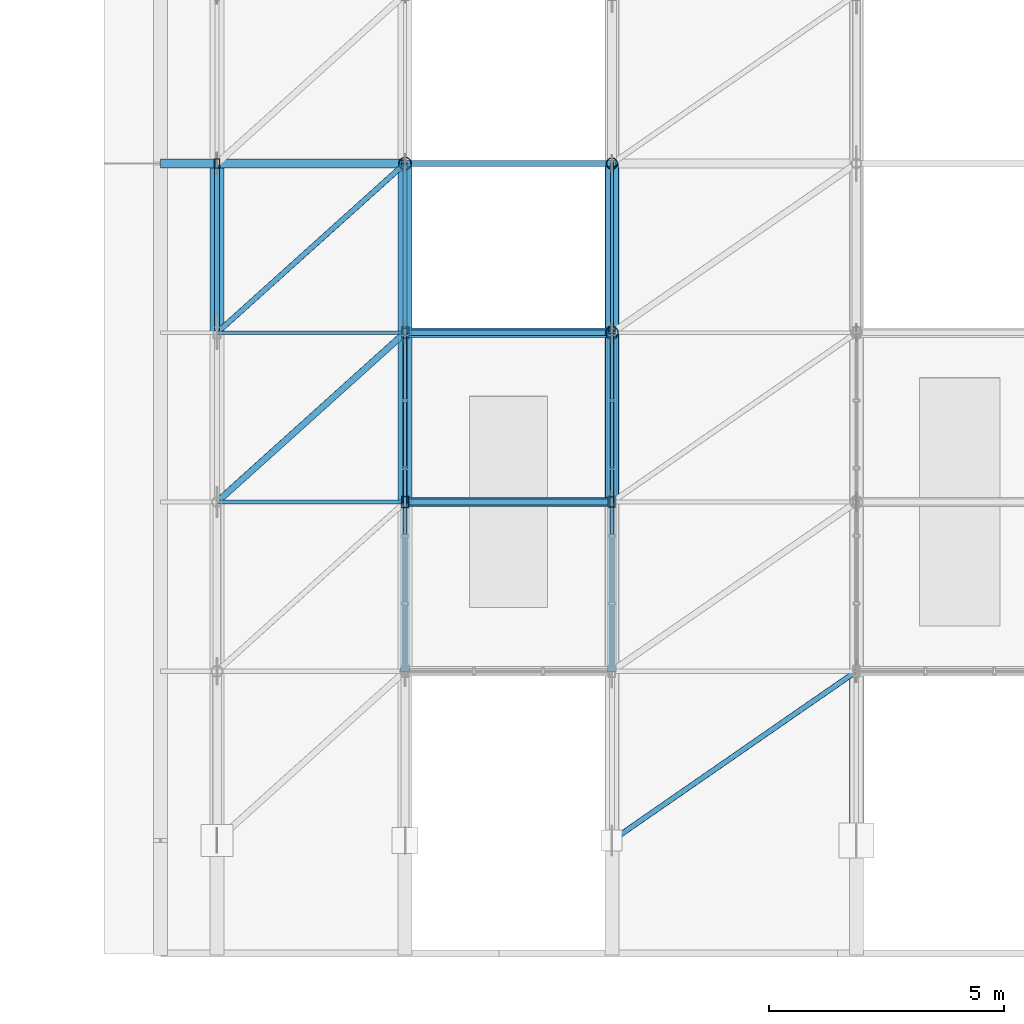
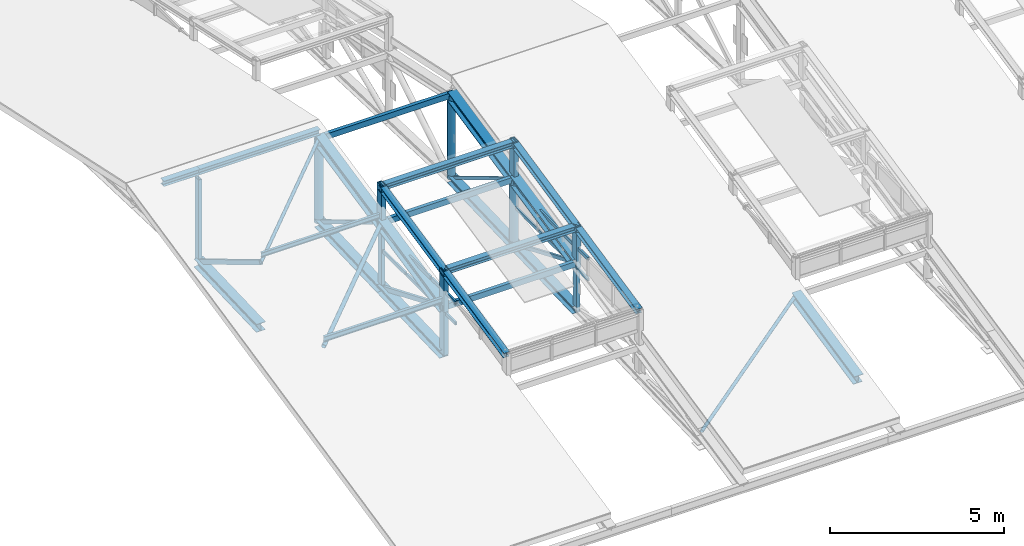
# One storey, part 34 of 124: 52 members, 2 elements without a shape of their own.
"""IFC4 building model written with IfcOpenShell, lengths in metres."""

from ifc_helpers import new_model, si_unit, direction, frame, origin, origin_2d, place, context, subcontext, project, spatial, hollow_rectangle, hollow_circle, i_section, extrude, material, layer, layer_set, material_profile, profile_set, type_object, element, aggregate, save


model = new_model("IFC4")

# Units and contexts
model_context = context("Model", 3, precision=1e-05, world=origin(), true_north=direction((0.0, 1.0)))
body_context = subcontext(model_context, "Body", "Model", "MODEL_VIEW")
ifc_project = project(units=[si_unit("LENGTHUNIT", "METRE"), si_unit("AREAUNIT", "SQUARE_METRE"), si_unit("VOLUMEUNIT", "CUBIC_METRE"), si_unit("PLANEANGLEUNIT", "RADIAN"), si_unit("MASSUNIT", "GRAM", prefix="KILO"), si_unit("THERMODYNAMICTEMPERATUREUNIT", "KELVIN"), si_unit("POWERUNIT", "WATT")], contexts=[model_context])

# Site, building, storey
site_placement = place(None, origin())
site = spatial("IfcSite", under=ifc_project, at=site_placement, CompositionType="ELEMENT")
building_placement = place(site_placement, origin())
building = spatial("IfcBuilding", under=site, at=building_placement, Name="Tavuni Mirador Residences", CompositionType="ELEMENT")
storey_placement = place(building_placement, frame((0.0, 0.0, 7.64990234375)))
storey = spatial("IfcBuildingStorey", under=building, at=storey_placement, Name="L02", CompositionType="ELEMENT", Elevation=7.64990234375)

# Curtain wall, members
ifc_material_1 = material(Name="Anodised aluminium", Category="aluminium")
ifc_layer = layer(ifc_material_1, 0.199951171875, Name="Anodised aluminium", Category="aluminium")
ifc_layer_set = layer_set([ifc_layer], Name="Anodised aluminium")
curtain_wall_type = type_object("IfcCurtainWallType", Name="CWT-HAL-01", PredefinedType="NOTDEFINED", material=ifc_layer_set)
curtain_wall_1_placement = place(storey_placement, origin())
curtain_wall_1 = element("IfcCurtainWall", 1, at=curtain_wall_1_placement, inside=storey, type_object=curtain_wall_type, Name="CW-HALL-MON-S1-W", PredefinedType="NOTDEFINED")
ifc_material_profile_1 = material_profile(ifc_material_1, hollow_rectangle(XDim=0.06005859375, YDim=0.110107421875, WallThickness=0.00390625, at=origin_2d()), Name="ALU 60x110x4.0", Category="aluminium")
ifc_profile_set_1 = profile_set([ifc_material_profile_1], Name="Anodised aluminium")
member_type_1 = type_object("IfcMemberType", Name="CWT-110", PredefinedType="USERDEFINED", material=ifc_profile_set_1)
member_1_placement = place(storey_placement, frame((44.800048828125, 78.510009765625, 1.205078125), z_axis=(0.0, 1.0, 0.0), x_axis=(-1.0, 0.0, 0.0)))
member_1 = element("IfcMember", 2, at=member_1_placement, type_object=member_type_1, Name="CW-06 transom 3.1", ObjectType="TRANSOM", PredefinedType="USERDEFINED", context=body_context, shape_type="SweptSolid", body=[
    extrude(hollow_rectangle(XDim=0.06005859375, YDim=0.110107421875, WallThickness=0.00390625, at=origin_2d()), origin(), (0.0, 0.0, 1.0), 1.3798828125),
])
member_2_placement = place(storey_placement, frame((44.800048828125, 78.510009765625, 1.93505859375), z_axis=(0.0, 1.0, 0.0), x_axis=(-1.0, 0.0, 0.0)))
member_2 = element("IfcMember", 3, at=member_2_placement, type_object=member_type_1, Name="CW-06 transom 3.2", ObjectType="TRANSOM", PredefinedType="USERDEFINED", context=body_context, shape_type="SweptSolid", body=[
    extrude(hollow_rectangle(XDim=0.06005859375, YDim=0.110107421875, WallThickness=0.00390625, at=origin_2d()), origin(), (0.0, 0.0, 1.0), 1.3798828125),
])
member_3_placement = place(storey_placement, frame((44.800048828125, 79.949951171875, 1.205078125), z_axis=(0.0, 1.0, 0.0), x_axis=(-1.0, 0.0, 0.0)))
member_3 = element("IfcMember", 4, at=member_3_placement, type_object=member_type_1, Name="CW-06 transom 4.1", ObjectType="TRANSOM", PredefinedType="USERDEFINED", context=body_context, shape_type="SweptSolid", body=[
    extrude(hollow_rectangle(XDim=0.06005859375, YDim=0.110107421875, WallThickness=0.00390625, at=origin_2d()), origin(), (0.0, 0.0, 1.0), 1.380126953125),
])
member_4_placement = place(storey_placement, frame((44.800048828125, 79.949951171875, 1.93505859375), z_axis=(0.0, 1.0, 0.0), x_axis=(-1.0, 0.0, 0.0)))
member_4 = element("IfcMember", 5, at=member_4_placement, type_object=member_type_1, Name="CW-06 transom 4.2", ObjectType="TRANSOM", PredefinedType="USERDEFINED", context=body_context, shape_type="SweptSolid", body=[
    extrude(hollow_rectangle(XDim=0.06005859375, YDim=0.110107421875, WallThickness=0.00390625, at=origin_2d()), origin(), (0.0, 0.0, 1.0), 1.380126953125),
])
member_5_placement = place(storey_placement, frame((44.800048828125, 81.389892578125, 1.205078125), z_axis=(0.0, 1.0, 0.0), x_axis=(-1.0, 0.0, 0.0)))
member_5 = element("IfcMember", 6, at=member_5_placement, type_object=member_type_1, Name="CW-06 transom 5.1", ObjectType="TRANSOM", PredefinedType="USERDEFINED", context=body_context, shape_type="SweptSolid", body=[
    extrude(hollow_rectangle(XDim=0.06005859375, YDim=0.110107421875, WallThickness=0.00390625, at=origin_2d()), origin(), (0.0, 0.0, 1.0), 1.35009765625),
])
member_6_placement = place(storey_placement, frame((44.800048828125, 81.389892578125, 1.93505859375), z_axis=(0.0, 1.0, 0.0), x_axis=(-1.0, 0.0, 0.0)))
member_6 = element("IfcMember", 7, at=member_6_placement, type_object=member_type_1, Name="CW-06 transom 5.2", ObjectType="TRANSOM", PredefinedType="USERDEFINED", context=body_context, shape_type="SweptSolid", body=[
    extrude(hollow_rectangle(XDim=0.06005859375, YDim=0.110107421875, WallThickness=0.00390625, at=origin_2d()), origin(), (0.0, 0.0, 1.0), 1.35009765625),
])
aggregate(curtain_wall_1, [member_1, member_2, member_3, member_4, member_5, member_6])

curtain_wall_2_placement = place(storey_placement, origin())
curtain_wall_2 = element("IfcCurtainWall", 8, at=curtain_wall_2_placement, inside=storey, type_object=curtain_wall_type, Name="CW-HALL-MON-S1-E", PredefinedType="NOTDEFINED")
member_7_placement = place(storey_placement, frame((49.199951171875, 78.510009765625, 1.205078125), z_axis=(0.0, 1.0, 0.0), x_axis=(-1.0, 0.0, 0.0)))
member_7 = element("IfcMember", 9, at=member_7_placement, type_object=member_type_1, Name="CW-06 transom 3.1", ObjectType="TRANSOM", PredefinedType="USERDEFINED", context=body_context, shape_type="SweptSolid", body=[
    extrude(hollow_rectangle(XDim=0.06005859375, YDim=0.110107421875, WallThickness=0.00390625, at=origin_2d()), origin(), (0.0, 0.0, 1.0), 1.3798828125),
])
member_8_placement = place(storey_placement, frame((49.199951171875, 78.510009765625, 1.93505859375), z_axis=(0.0, 1.0, 0.0), x_axis=(-1.0, 0.0, 0.0)))
member_8 = element("IfcMember", 10, at=member_8_placement, type_object=member_type_1, Name="CW-06 transom 3.2", ObjectType="TRANSOM", PredefinedType="USERDEFINED", context=body_context, shape_type="SweptSolid", body=[
    extrude(hollow_rectangle(XDim=0.06005859375, YDim=0.110107421875, WallThickness=0.00390625, at=origin_2d()), origin(), (0.0, 0.0, 1.0), 1.3798828125),
])
member_9_placement = place(storey_placement, frame((49.199951171875, 79.949951171875, 1.205078125), z_axis=(0.0, 1.0, 0.0), x_axis=(-1.0, 0.0, 0.0)))
member_9 = element("IfcMember", 11, at=member_9_placement, type_object=member_type_1, Name="CW-06 transom 4.1", ObjectType="TRANSOM", PredefinedType="USERDEFINED", context=body_context, shape_type="SweptSolid", body=[
    extrude(hollow_rectangle(XDim=0.06005859375, YDim=0.110107421875, WallThickness=0.00390625, at=origin_2d()), origin(), (0.0, 0.0, 1.0), 1.380126953125),
])
member_10_placement = place(storey_placement, frame((49.199951171875, 79.949951171875, 1.93505859375), z_axis=(0.0, 1.0, 0.0), x_axis=(-1.0, 0.0, 0.0)))
member_10 = element("IfcMember", 12, at=member_10_placement, type_object=member_type_1, Name="CW-06 transom 4.2", ObjectType="TRANSOM", PredefinedType="USERDEFINED", context=body_context, shape_type="SweptSolid", body=[
    extrude(hollow_rectangle(XDim=0.06005859375, YDim=0.110107421875, WallThickness=0.00390625, at=origin_2d()), origin(), (0.0, 0.0, 1.0), 1.380126953125),
])
member_11_placement = place(storey_placement, frame((49.199951171875, 81.389892578125, 1.205078125), z_axis=(0.0, 1.0, 0.0), x_axis=(-1.0, 0.0, 0.0)))
member_11 = element("IfcMember", 13, at=member_11_placement, type_object=member_type_1, Name="CW-06 transom 5.1", ObjectType="TRANSOM", PredefinedType="USERDEFINED", context=body_context, shape_type="SweptSolid", body=[
    extrude(hollow_rectangle(XDim=0.06005859375, YDim=0.110107421875, WallThickness=0.00390625, at=origin_2d()), origin(), (0.0, 0.0, 1.0), 1.35009765625),
])
member_12_placement = place(storey_placement, frame((49.199951171875, 81.389892578125, 1.93505859375), z_axis=(0.0, 1.0, 0.0), x_axis=(-1.0, 0.0, 0.0)))
member_12 = element("IfcMember", 14, at=member_12_placement, type_object=member_type_1, Name="CW-06 transom 5.2", ObjectType="TRANSOM", PredefinedType="USERDEFINED", context=body_context, shape_type="SweptSolid", body=[
    extrude(hollow_rectangle(XDim=0.06005859375, YDim=0.110107421875, WallThickness=0.00390625, at=origin_2d()), origin(), (0.0, 0.0, 1.0), 1.35009765625),
])
aggregate(curtain_wall_2, [member_7, member_8, member_9, member_10, member_11, member_12])

# Members
ifc_material_2 = material(Name="Structural steel S355", Category="steel")
ifc_material_profile_2 = material_profile(ifc_material_2, hollow_circle(Radius=0.05712890625, WallThickness=0.00634765625, at=origin_2d()), Name="CHS 114.3x6.3", Category="steel")
ifc_profile_set_2 = profile_set([ifc_material_profile_2], Name="Structural steel S355")
member_type_2 = type_object("IfcMemberType", Name="MT-BR-CHS114", PredefinedType="BRACE", material=ifc_profile_set_2)
member_13_placement = place(storey_placement, frame((40.800048828125, 82.800048828125, 2.155029296875), z_axis=(0.735714413945, 0.662116029884, 0.142571610368), x_axis=(-0.668949692402, 0.74330768127, 0.0)))
element("IfcMember", 15, at=member_13_placement, inside=storey, type_object=member_type_2, Name="HALL-RB-1-04", PredefinedType="BRACE", context=body_context, shape_type="SweptSolid", body=[
    extrude(hollow_circle(Radius=0.05712890625, WallThickness=0.00634765625, at=origin_2d()), origin(), (0.0, 0.0, 1.0), 5.43701171875),
])
member_14_placement = place(storey_placement, frame((49.199951171875, 72.0, -0.169921875), z_axis=(0.81607988035, 0.564999010077, 0.12161310579), x_axis=(-0.569224029849, 0.822182463838, 0.0)))
element("IfcMember", 16, at=member_14_placement, inside=storey, type_object=member_type_2, Name="HALL-RB-2-01", PredefinedType="BRACE", context=body_context, shape_type="SweptSolid", body=[
    extrude(hollow_circle(Radius=0.05712890625, WallThickness=0.00634765625, at=origin_2d()), origin(), (0.0, 0.0, 1.0), 6.371826171875),
])
ifc_material_profile_3 = material_profile(ifc_material_2, hollow_circle(Radius=0.06982421875, WallThickness=0.008056640625, at=origin_2d()), Name="CHS 139.7x8.0", Category="steel")
ifc_profile_set_3 = profile_set([ifc_material_profile_3], Name="Structural steel S355")
member_type_3 = type_object("IfcMemberType", Name="MT-BR-CHS139", PredefinedType="BRACE", material=ifc_profile_set_3)
member_15_placement = place(storey_placement, frame((40.800048828125, 79.199951171875, 1.380126953125), z_axis=(0.735697248953, 0.662145485417, 0.142523380626), x_axis=(-0.668974757313, 0.743285123004, 0.0)))
element("IfcMember", 17, at=member_15_placement, inside=storey, type_object=member_type_3, Name="HALL-RB-1-03", PredefinedType="BRACE", context=body_context, shape_type="SweptSolid", body=[
    extrude(hollow_circle(Radius=0.06982421875, WallThickness=0.008056640625, at=origin_2d()), origin(), (0.0, 0.0, 1.0), 5.43701171875),
])
ifc_material_profile_4 = material_profile(ifc_material_2, hollow_rectangle(XDim=0.06005859375, YDim=0.10009765625, WallThickness=0.0048828125, at=origin_2d()), Name="RHS 100x60x5.0", Category="steel")
ifc_profile_set_4 = profile_set([ifc_material_profile_4], Name="Structural steel S355")
member_type_4 = type_object("IfcMemberType", Name="MT-BR-RHS100", PredefinedType="BRACE", material=ifc_profile_set_4)
member_16_placement = place(storey_placement, frame((49.199951171875, 82.800048828125, 2.155029296875), z_axis=(0.0, 0.858005936545, -0.513639769541), x_axis=(-1.0, 0.0, 0.0)))
element("IfcMember", 18, at=member_16_placement, inside=storey, type_object=member_type_4, Name="Roof truss TR-3 web diagonal 4", PredefinedType="BRACE", context=body_context, shape_type="SweptSolid", body=[
    extrude(hollow_rectangle(XDim=0.06005859375, YDim=0.10009765625, WallThickness=0.0048828125, at=origin_2d()), origin(), (0.0, 0.0, 1.0), 4.195556640625),
])
ifc_material_profile_5 = material_profile(ifc_material_2, hollow_rectangle(XDim=0.080078125, YDim=0.1201171875, WallThickness=0.00634765625, at=origin_2d()), Name="RHS 120x80x6.3", Category="steel")
ifc_profile_set_5 = profile_set([ifc_material_profile_5], Name="Structural steel S355")
member_type_5 = type_object("IfcMemberType", Name="MT-BR-RHS120", PredefinedType="BRACE", material=ifc_profile_set_5)
member_17_placement = place(storey_placement, frame((44.800048828125, 82.800048828125, 2.155029296875), z_axis=(0.0, 0.858005936545, -0.513639769541), x_axis=(-1.0, 0.0, 0.0)))
element("IfcMember", 19, at=member_17_placement, inside=storey, type_object=member_type_5, Name="Roof truss TR-2 web diagonal 4", PredefinedType="BRACE", context=body_context, shape_type="SweptSolid", body=[
    extrude(hollow_rectangle(XDim=0.080078125, YDim=0.1201171875, WallThickness=0.00634765625, at=origin_2d()), origin(), (0.0, 0.0, 1.0), 4.195556640625),
])
member_18_placement = place(storey_placement, frame((49.199951171875, 79.199951171875, 1.380126953125), z_axis=(0.0, 0.922613480979, -0.385725763613), x_axis=(-1.0, 0.0, 0.0)))
element("IfcMember", 20, at=member_18_placement, inside=storey, type_object=member_type_5, Name="Roof truss TR-3 web diagonal 3", PredefinedType="BRACE", context=body_context, shape_type="SweptSolid", body=[
    extrude(hollow_rectangle(XDim=0.080078125, YDim=0.1201171875, WallThickness=0.00634765625, at=origin_2d()), origin(), (0.0, 0.0, 1.0), 3.902099609375),
])
ifc_material_profile_6 = material_profile(ifc_material_2, hollow_rectangle(XDim=0.10009765625, YDim=0.14990234375, WallThickness=0.008056640625, at=origin_2d()), Name="RHS 150x100x8.0", Category="steel")
ifc_profile_set_6 = profile_set([ifc_material_profile_6], Name="Structural steel S355")
member_type_6 = type_object("IfcMemberType", Name="MT-BR-RHS150", PredefinedType="BRACE", material=ifc_profile_set_6)
member_19_placement = place(storey_placement, frame((40.800048828125, 82.800048828125, 2.155029296875), z_axis=(0.0, 0.858005936545, -0.513639769541), x_axis=(-1.0, 0.0, 0.0)))
element("IfcMember", 21, at=member_19_placement, inside=storey, type_object=member_type_6, Name="Roof truss TR-1 web diagonal 4", PredefinedType="BRACE", context=body_context, shape_type="SweptSolid", body=[
    extrude(hollow_rectangle(XDim=0.10009765625, YDim=0.14990234375, WallThickness=0.008056640625, at=origin_2d()), origin(), (0.0, 0.0, 1.0), 4.195556640625),
])
member_20_placement = place(storey_placement, frame((44.800048828125, 79.199951171875, 1.380126953125), z_axis=(0.0, 0.922613480979, -0.385725763613), x_axis=(-1.0, 0.0, 0.0)))
element("IfcMember", 22, at=member_20_placement, inside=storey, type_object=member_type_6, Name="Roof truss TR-2 web diagonal 3", PredefinedType="BRACE", context=body_context, shape_type="SweptSolid", body=[
    extrude(hollow_rectangle(XDim=0.10009765625, YDim=0.14990234375, WallThickness=0.008056640625, at=origin_2d()), origin(), (0.0, 0.0, 1.0), 3.902099609375),
])
ifc_material_profile_7 = material_profile(ifc_material_2, i_section(OverallWidth=0.280029296875, OverallDepth=0.27001953125, WebThickness=0.008056640625, FlangeThickness=0.012939453125, FilletRadius=0.02392578125, at=origin_2d()), Name="HEA 280", Category="steel")
ifc_profile_set_7 = profile_set([ifc_material_profile_7], Name="Structural steel S355")
member_type_7 = type_object("IfcMemberType", Name="MT-CH-HEA280", PredefinedType="CHORD", material=ifc_profile_set_7)
member_21_placement = place(storey_placement, frame((49.199951171875, 79.199951171875, -0.25), z_axis=(0.0, 0.999397760821, 0.034700369832), x_axis=(-1.0, 0.0, 0.0)))
element("IfcMember", 23, at=member_21_placement, inside=storey, type_object=member_type_7, Name="Roof truss TR-3 bottom chord 3", PredefinedType="CHORD", context=body_context, shape_type="SweptSolid", body=[
    extrude(i_section(OverallWidth=0.280029296875, OverallDepth=0.27001953125, WebThickness=0.008056640625, FlangeThickness=0.012939453125, FilletRadius=0.02392578125, at=origin_2d()), origin(), (0.0, 0.0, 1.0), 3.602294921875),
])
member_22_placement = place(storey_placement, frame((49.199951171875, 82.800048828125, -0.125), z_axis=(0.0, 0.999397679205, 0.034702720363), x_axis=(-1.0, 0.0, 0.0)))
element("IfcMember", 24, at=member_22_placement, inside=storey, type_object=member_type_7, Name="Roof truss TR-3 bottom chord 4", PredefinedType="CHORD", context=body_context, shape_type="SweptSolid", body=[
    extrude(i_section(OverallWidth=0.280029296875, OverallDepth=0.27001953125, WebThickness=0.008056640625, FlangeThickness=0.012939453125, FilletRadius=0.02392578125, at=origin_2d()), origin(), (0.0, 0.0, 1.0), 3.60205078125),
])
ifc_material_profile_8 = material_profile(ifc_material_2, i_section(OverallWidth=0.300048828125, OverallDepth=0.2900390625, WebThickness=0.008544921875, FlangeThickness=0.013916015625, FilletRadius=0.027099609375, at=origin_2d()), Name="HEA 300", Category="steel")
ifc_profile_set_8 = profile_set([ifc_material_profile_8], Name="Structural steel S355")
member_type_8 = type_object("IfcMemberType", Name="MT-CH-HEA300", PredefinedType="CHORD", material=ifc_profile_set_8)
member_23_placement = place(storey_placement, frame((40.800048828125, 82.800048828125, -0.125), z_axis=(0.0, 0.999397679205, 0.034702720363), x_axis=(-1.0, 0.0, 0.0)))
element("IfcMember", 25, at=member_23_placement, inside=storey, type_object=member_type_8, Name="Roof truss TR-1 bottom chord 4", PredefinedType="CHORD", context=body_context, shape_type="SweptSolid", body=[
    extrude(i_section(OverallWidth=0.300048828125, OverallDepth=0.2900390625, WebThickness=0.008544921875, FlangeThickness=0.013916015625, FilletRadius=0.027099609375, at=origin_2d()), origin(), (0.0, 0.0, 1.0), 3.60205078125),
])
member_24_placement = place(storey_placement, frame((44.800048828125, 79.199951171875, -0.25), z_axis=(0.0, 0.999397760821, 0.034700369832), x_axis=(-1.0, 0.0, 0.0)))
element("IfcMember", 26, at=member_24_placement, inside=storey, type_object=member_type_8, Name="Roof truss TR-2 bottom chord 3", PredefinedType="CHORD", context=body_context, shape_type="SweptSolid", body=[
    extrude(i_section(OverallWidth=0.300048828125, OverallDepth=0.2900390625, WebThickness=0.008544921875, FlangeThickness=0.013916015625, FilletRadius=0.027099609375, at=origin_2d()), origin(), (0.0, 0.0, 1.0), 3.602294921875),
])
member_25_placement = place(storey_placement, frame((44.800048828125, 82.800048828125, -0.125), z_axis=(0.0, 0.999397679205, 0.034702720363), x_axis=(-1.0, 0.0, 0.0)))
element("IfcMember", 27, at=member_25_placement, inside=storey, type_object=member_type_8, Name="Roof truss TR-2 bottom chord 4", PredefinedType="CHORD", context=body_context, shape_type="SweptSolid", body=[
    extrude(i_section(OverallWidth=0.300048828125, OverallDepth=0.2900390625, WebThickness=0.008544921875, FlangeThickness=0.013916015625, FilletRadius=0.027099609375, at=origin_2d()), origin(), (0.0, 0.0, 1.0), 3.60205078125),
])
ifc_material_profile_9 = material_profile(ifc_material_2, i_section(OverallWidth=0.300048828125, OverallDepth=0.320068359375, WebThickness=0.011474609375, FlangeThickness=0.0205078125, FilletRadius=0.027099609375, at=origin_2d()), Name="HEB 320", Category="steel")
ifc_profile_set_9 = profile_set([ifc_material_profile_9], Name="Structural steel S355")
member_type_9 = type_object("IfcMemberType", Name="MT-CH-HEB320", PredefinedType="CHORD", material=ifc_profile_set_9)
member_26_placement = place(storey_placement, frame((49.199951171875, 79.199951171875, 1.380126953125), z_axis=(0.0, 0.977609904647, 0.210425460284), x_axis=(-1.0, 0.0, 0.0)))
element("IfcMember", 28, at=member_26_placement, inside=storey, type_object=member_type_9, Name="Roof truss TR-3 top chord 3", PredefinedType="CHORD", context=body_context, shape_type="SweptSolid", body=[
    extrude(i_section(OverallWidth=0.300048828125, OverallDepth=0.320068359375, WebThickness=0.011474609375, FlangeThickness=0.0205078125, FilletRadius=0.027099609375, at=origin_2d()), origin(), (0.0, 0.0, 1.0), 3.6826171875),
])
member_27_placement = place(storey_placement, frame((49.199951171875, 82.800048828125, 2.155029296875), z_axis=(0.0, 0.977593327089, 0.210502462768), x_axis=(-1.0, 0.0, 0.0)))
element("IfcMember", 29, at=member_27_placement, inside=storey, type_object=member_type_9, Name="Roof truss TR-3 top chord 4", PredefinedType="CHORD", context=body_context, shape_type="SweptSolid", body=[
    extrude(i_section(OverallWidth=0.300048828125, OverallDepth=0.320068359375, WebThickness=0.011474609375, FlangeThickness=0.0205078125, FilletRadius=0.027099609375, at=origin_2d()), origin(), (0.0, 0.0, 1.0), 3.682373046875),
])
member_28_placement = place(storey_placement, frame((54.39990234375, 72.0, -0.169921875), z_axis=(0.0, 0.977609904647, 0.210425460284), x_axis=(-1.0, 0.0, 0.0)))
element("IfcMember", 30, at=member_28_placement, inside=storey, type_object=member_type_9, Name="Roof truss TR-4 top chord 1", PredefinedType="CHORD", context=body_context, shape_type="SweptSolid", body=[
    extrude(i_section(OverallWidth=0.300048828125, OverallDepth=0.320068359375, WebThickness=0.011474609375, FlangeThickness=0.0205078125, FilletRadius=0.027099609375, at=origin_2d()), origin(), (0.0, 0.0, 1.0), 3.6826171875),
])
ifc_material_profile_10 = material_profile(ifc_material_2, i_section(OverallWidth=0.300048828125, OverallDepth=0.360107421875, WebThickness=0.012451171875, FlangeThickness=0.0224609375, FilletRadius=0.027099609375, at=origin_2d()), Name="HEB 360", Category="steel")
ifc_profile_set_10 = profile_set([ifc_material_profile_10], Name="Structural steel S355")
member_type_10 = type_object("IfcMemberType", Name="MT-CH-HEB360", PredefinedType="CHORD", material=ifc_profile_set_10)
member_29_placement = place(storey_placement, frame((44.800048828125, 79.199951171875, 1.380126953125), z_axis=(0.0, 0.977609904647, 0.210425460284), x_axis=(-1.0, 0.0, 0.0)))
element("IfcMember", 31, at=member_29_placement, inside=storey, type_object=member_type_10, Name="Roof truss TR-2 top chord 3", PredefinedType="CHORD", context=body_context, shape_type="SweptSolid", body=[
    extrude(i_section(OverallWidth=0.300048828125, OverallDepth=0.360107421875, WebThickness=0.012451171875, FlangeThickness=0.0224609375, FilletRadius=0.027099609375, at=origin_2d()), origin(), (0.0, 0.0, 1.0), 3.6826171875),
])
member_30_placement = place(storey_placement, frame((44.800048828125, 82.800048828125, 2.155029296875), z_axis=(0.0, 0.977593327089, 0.210502462768), x_axis=(-1.0, 0.0, 0.0)))
element("IfcMember", 32, at=member_30_placement, inside=storey, type_object=member_type_10, Name="Roof truss TR-2 top chord 4", PredefinedType="CHORD", context=body_context, shape_type="SweptSolid", body=[
    extrude(i_section(OverallWidth=0.300048828125, OverallDepth=0.360107421875, WebThickness=0.012451171875, FlangeThickness=0.0224609375, FilletRadius=0.027099609375, at=origin_2d()), origin(), (0.0, 0.0, 1.0), 3.682373046875),
])
ifc_material_profile_11 = material_profile(ifc_material_2, i_section(OverallWidth=0.199951171875, OverallDepth=0.18994140625, WebThickness=0.006591796875, FlangeThickness=0.010009765625, FilletRadius=0.01806640625, at=origin_2d()), Name="HEA 200", Category="steel")
ifc_profile_set_11 = profile_set([ifc_material_profile_11], Name="Structural steel S355")
member_type_11 = type_object("IfcMemberType", Name="MT-PR-HEA200", PredefinedType="PURLIN", material=ifc_profile_set_11)
member_31_placement = place(storey_placement, frame((39.60009765625, 86.39990234375, 3.195068359375), z_axis=(1.0, 0.0, 0.0), x_axis=(0.0, 1.0, 0.0)))
element("IfcMember", 33, at=member_31_placement, inside=storey, type_object=member_type_11, Name="HALL-PUR-03-S1-1", PredefinedType="PURLIN", context=body_context, shape_type="SweptSolid", body=[
    extrude(i_section(OverallWidth=0.199951171875, OverallDepth=0.18994140625, WebThickness=0.006591796875, FlangeThickness=0.010009765625, FilletRadius=0.01806640625, at=origin_2d()), origin(), (0.0, 0.0, 1.0), 1.199951171875),
])
member_32_placement = place(storey_placement, frame((40.800048828125, 86.39990234375, 3.195068359375), z_axis=(1.0, 0.0, 0.0), x_axis=(0.0, 1.0, 0.0)))
element("IfcMember", 34, at=member_32_placement, inside=storey, type_object=member_type_11, Name="HALL-PUR-03-S1-2", PredefinedType="PURLIN", context=body_context, shape_type="SweptSolid", body=[
    extrude(i_section(OverallWidth=0.199951171875, OverallDepth=0.18994140625, WebThickness=0.006591796875, FlangeThickness=0.010009765625, FilletRadius=0.01806640625, at=origin_2d()), origin(), (0.0, 0.0, 1.0), 4.0),
])
for number, where, z_axis, x_axis, name in (
    (35, (44.800048828125, 79.199951171875, 2.64013671875), (1.0, 0.0, 0.0), (0.0, 1.0, 0.0), "HALL-MPUR-1-S-2"),
    (36, (44.800048828125, 82.800048828125, 3.4150390625), (1.0, 0.0, 0.0), (0.0, 1.0, 0.0), "HALL-MPUR-1-S-3"),
):
    element("IfcMember", number, at=place(storey_placement, frame(where, z_axis=z_axis, x_axis=x_axis)), inside=storey, type_object=member_type_11, Name=name, PredefinedType="PURLIN", context=body_context, shape_type="SweptSolid", body=[
        extrude(i_section(OverallWidth=0.199951171875, OverallDepth=0.18994140625, WebThickness=0.006591796875, FlangeThickness=0.010009765625, FilletRadius=0.01806640625, at=origin_2d()), origin(), (0.0, 0.0, 1.0), 4.39990234375),
    ])
for number, where, z_axis, x_axis, name in (
    (37, (44.800048828125, 75.60009765625, 1.864990234375), (0.0, 0.977601616837, 0.21046396071), (-1.0, 0.0, 0.0), "HALL-MRAF-1-S-W"),
    (38, (49.199951171875, 75.60009765625, 1.864990234375), (0.0, 0.977601616837, 0.21046396071), (-1.0, 0.0, 0.0), "HALL-MRAF-1-S-E"),
):
    element("IfcMember", number, at=place(storey_placement, frame(where, z_axis=z_axis, x_axis=x_axis)), inside=storey, type_object=member_type_11, Name=name, PredefinedType="PURLIN", context=body_context, shape_type="SweptSolid", body=[
        extrude(i_section(OverallWidth=0.199951171875, OverallDepth=0.18994140625, WebThickness=0.006591796875, FlangeThickness=0.010009765625, FilletRadius=0.01806640625, at=origin_2d()), origin(), (0.0, 0.0, 1.0), 7.364990234375),
    ])
ifc_material_profile_12 = material_profile(ifc_material_2, i_section(OverallWidth=0.08203125, OverallDepth=0.159912109375, WebThickness=0.0048828125, FlangeThickness=0.00732421875, FilletRadius=0.009033203125, at=origin_2d()), Name="IPE 160", Category="steel")
ifc_profile_set_12 = profile_set([ifc_material_profile_12], Name="Structural steel S355")
member_type_12 = type_object("IfcMemberType", Name="MT-PR-IPE160", PredefinedType="PURLIN", material=ifc_profile_set_12)
member_33_placement = place(storey_placement, frame((40.800048828125, 82.800048828125, 2.420166015625), z_axis=(1.0, 0.0, 0.0), x_axis=(0.0, 1.0, 0.0)))
element("IfcMember", 39, at=member_33_placement, inside=storey, type_object=member_type_12, Name="HALL-PUR-02-S1-2", PredefinedType="PURLIN", context=body_context, shape_type="SweptSolid", body=[
    extrude(i_section(OverallWidth=0.08203125, OverallDepth=0.159912109375, WebThickness=0.0048828125, FlangeThickness=0.00732421875, FilletRadius=0.009033203125, at=origin_2d()), origin(), (0.0, 0.0, 1.0), 4.0),
])
ifc_material_profile_13 = material_profile(ifc_material_2, i_section(OverallWidth=0.091064453125, OverallDepth=0.179931640625, WebThickness=0.00537109375, FlangeThickness=0.008056640625, FilletRadius=0.009033203125, at=origin_2d()), Name="IPE 180", Category="steel")
ifc_profile_set_13 = profile_set([ifc_material_profile_13], Name="Structural steel S355")
member_type_13 = type_object("IfcMemberType", Name="MT-PR-IPE180", PredefinedType="PURLIN", material=ifc_profile_set_13)
member_34_placement = place(storey_placement, frame((40.800048828125, 79.199951171875, 1.64501953125), z_axis=(1.0, 0.0, 0.0), x_axis=(0.0, 1.0, 0.0)))
element("IfcMember", 40, at=member_34_placement, inside=storey, type_object=member_type_13, Name="HALL-PUR-01-S1-2", PredefinedType="PURLIN", context=body_context, shape_type="SweptSolid", body=[
    extrude(i_section(OverallWidth=0.091064453125, OverallDepth=0.179931640625, WebThickness=0.00537109375, FlangeThickness=0.008056640625, FilletRadius=0.009033203125, at=origin_2d()), origin(), (0.0, 0.0, 1.0), 4.0),
])
ifc_material_profile_14 = material_profile(ifc_material_2, hollow_circle(Radius=0.122314453125, WallThickness=0.012451171875, at=origin_2d()), Name="CHS 244.5x12.5", Category="steel")
ifc_profile_set_14 = profile_set([ifc_material_profile_14], Name="Structural steel S355")
member_type_14 = type_object("IfcMemberType", Name="MT-ST-CHS244", PredefinedType="STRUT", material=ifc_profile_set_14)
member_35_placement = place(storey_placement, frame((49.199951171875, 86.39990234375, 0.0), z_axis=(0.0, 0.0, 1.0), x_axis=(1.0, 0.0, 0.0)))
element("IfcMember", 41, at=member_35_placement, inside=storey, type_object=member_type_14, Name="Roof truss TR-3 vertical 5", PredefinedType="STRUT", context=body_context, shape_type="SweptSolid", body=[
    extrude(hollow_circle(Radius=0.122314453125, WallThickness=0.012451171875, at=origin_2d()), origin(), (0.0, 0.0, 1.0), 2.93017578125),
])
ifc_material_profile_15 = material_profile(ifc_material_2, hollow_circle(Radius=0.136474609375, WallThickness=0.012451171875, at=origin_2d()), Name="CHS 273.0x12.5", Category="steel")
ifc_profile_set_15 = profile_set([ifc_material_profile_15], Name="Structural steel S355")
member_type_15 = type_object("IfcMemberType", Name="MT-ST-CHS273", PredefinedType="STRUT", material=ifc_profile_set_15)
member_36_placement = place(storey_placement, frame((44.800048828125, 86.39990234375, 0.0), z_axis=(0.0, 0.0, 1.0), x_axis=(1.0, 0.0, 0.0)))
element("IfcMember", 42, at=member_36_placement, inside=storey, type_object=member_type_15, Name="Roof truss TR-2 vertical 5", PredefinedType="STRUT", context=body_context, shape_type="SweptSolid", body=[
    extrude(hollow_circle(Radius=0.136474609375, WallThickness=0.012451171875, at=origin_2d()), origin(), (0.0, 0.0, 1.0), 2.93017578125),
])
member_37_placement = place(storey_placement, frame((49.199951171875, 82.800048828125, -0.125), z_axis=(0.0, 0.0, 1.0), x_axis=(1.0, 0.0, 0.0)))
element("IfcMember", 43, at=member_37_placement, inside=storey, type_object=member_type_15, Name="Roof truss TR-3 vertical 4", PredefinedType="STRUT", context=body_context, shape_type="SweptSolid", body=[
    extrude(hollow_circle(Radius=0.136474609375, WallThickness=0.012451171875, at=origin_2d()), origin(), (0.0, 0.0, 1.0), 2.280029296875),
])
ifc_material_profile_16 = material_profile(ifc_material_2, hollow_rectangle(XDim=0.1201171875, YDim=0.199951171875, WallThickness=0.010009765625, at=origin_2d()), Name="RHS 200x120x10.0", Category="steel")
ifc_profile_set_16 = profile_set([ifc_material_profile_16], Name="Structural steel S355")
member_type_16 = type_object("IfcMemberType", Name="MT-ST-RHS200", PredefinedType="STRUT", material=ifc_profile_set_16)
member_38_placement = place(storey_placement, frame((40.800048828125, 86.39990234375, 0.0), z_axis=(0.0, 0.0, 1.0), x_axis=(1.0, 0.0, 0.0)))
element("IfcMember", 44, at=member_38_placement, inside=storey, type_object=member_type_16, Name="Roof truss TR-1 vertical 5", PredefinedType="STRUT", context=body_context, shape_type="SweptSolid", body=[
    extrude(hollow_rectangle(XDim=0.1201171875, YDim=0.199951171875, WallThickness=0.010009765625, at=origin_2d()), origin(), (0.0, 0.0, 1.0), 2.93017578125),
])
member_39_placement = place(storey_placement, frame((44.800048828125, 82.800048828125, -0.125), z_axis=(0.0, 0.0, 1.0), x_axis=(1.0, 0.0, 0.0)))
element("IfcMember", 45, at=member_39_placement, inside=storey, type_object=member_type_16, Name="Roof truss TR-2 vertical 4", PredefinedType="STRUT", context=body_context, shape_type="SweptSolid", body=[
    extrude(hollow_rectangle(XDim=0.1201171875, YDim=0.199951171875, WallThickness=0.010009765625, at=origin_2d()), origin(), (0.0, 0.0, 1.0), 2.280029296875),
])
member_40_placement = place(storey_placement, frame((49.199951171875, 79.199951171875, -0.25), z_axis=(0.0, 0.0, 1.0), x_axis=(1.0, 0.0, 0.0)))
element("IfcMember", 46, at=member_40_placement, inside=storey, type_object=member_type_16, Name="Roof truss TR-3 vertical 3", PredefinedType="STRUT", context=body_context, shape_type="SweptSolid", body=[
    extrude(hollow_rectangle(XDim=0.1201171875, YDim=0.199951171875, WallThickness=0.010009765625, at=origin_2d()), origin(), (0.0, 0.0, 1.0), 1.630126953125),
])
for number, where, z_axis, x_axis, name in (
    (47, (44.719970703125, 79.199951171875, 1.380126953125), (1.0, 0.0, 0.0), (0.0, 1.0, 0.0), "HALL-MTIE-1-02"),
    (48, (44.719970703125, 82.800048828125, 2.155029296875), (1.0, 0.0, 0.0), (0.0, 1.0, 0.0), "HALL-MTIE-1-03"),
    (49, (44.719970703125, 86.39990234375, 2.93017578125), (1.0, 0.0, 0.0), (0.0, 1.0, 0.0), "HALL-MTIE-1-04"),
):
    element("IfcMember", number, at=place(storey_placement, frame(where, z_axis=z_axis, x_axis=x_axis)), inside=storey, type_object=member_type_16, Name=name, PredefinedType="STRUT", context=body_context, shape_type="SweptSolid", body=[
        extrude(hollow_rectangle(XDim=0.1201171875, YDim=0.199951171875, WallThickness=0.010009765625, at=origin_2d()), origin(), (0.0, 0.0, 1.0), 4.56005859375),
    ])
ifc_material_profile_17 = material_profile(ifc_material_2, hollow_rectangle(XDim=0.14990234375, YDim=0.25, WallThickness=0.010009765625, at=origin_2d()), Name="RHS 250x150x10.0", Category="steel")
ifc_profile_set_17 = profile_set([ifc_material_profile_17], Name="Structural steel S355")
member_type_17 = type_object("IfcMemberType", Name="MT-ST-RHS250", PredefinedType="STRUT", material=ifc_profile_set_17)
member_41_placement = place(storey_placement, frame((44.800048828125, 79.199951171875, -0.25), z_axis=(0.0, 0.0, 1.0), x_axis=(1.0, 0.0, 0.0)))
element("IfcMember", 50, at=member_41_placement, inside=storey, type_object=member_type_17, Name="Roof truss TR-2 vertical 3", PredefinedType="STRUT", context=body_context, shape_type="SweptSolid", body=[
    extrude(hollow_rectangle(XDim=0.14990234375, YDim=0.25, WallThickness=0.010009765625, at=origin_2d()), origin(), (0.0, 0.0, 1.0), 1.630126953125),
])
for number, where, z_axis, x_axis, name in (
    (51, (44.800048828125, 79.199951171875, 1.260009765625), (0.0, 0.0, 1.0), (1.0, 0.0, 0.0), "HALL-MPST-1-S-W2"),
    (52, (49.199951171875, 79.199951171875, 1.260009765625), (0.0, 0.0, 1.0), (1.0, 0.0, 0.0), "HALL-MPST-1-S-E2"),
    (53, (44.800048828125, 82.800048828125, 2.03515625), (0.0, 0.0, 1.0), (1.0, 0.0, 0.0), "HALL-MPST-1-S-W3"),
    (54, (49.199951171875, 82.800048828125, 2.03515625), (0.0, 0.0, 1.0), (1.0, 0.0, 0.0), "HALL-MPST-1-S-E3"),
):
    element("IfcMember", number, at=place(storey_placement, frame(where, z_axis=z_axis, x_axis=x_axis)), inside=storey, type_object=member_type_17, Name=name, PredefinedType="STRUT", context=body_context, shape_type="SweptSolid", body=[
        extrude(hollow_rectangle(XDim=0.14990234375, YDim=0.25, WallThickness=0.010009765625, at=origin_2d()), origin(), (0.0, 0.0, 1.0), 1.489990234375),
    ])

save(model, "model.ifc")
